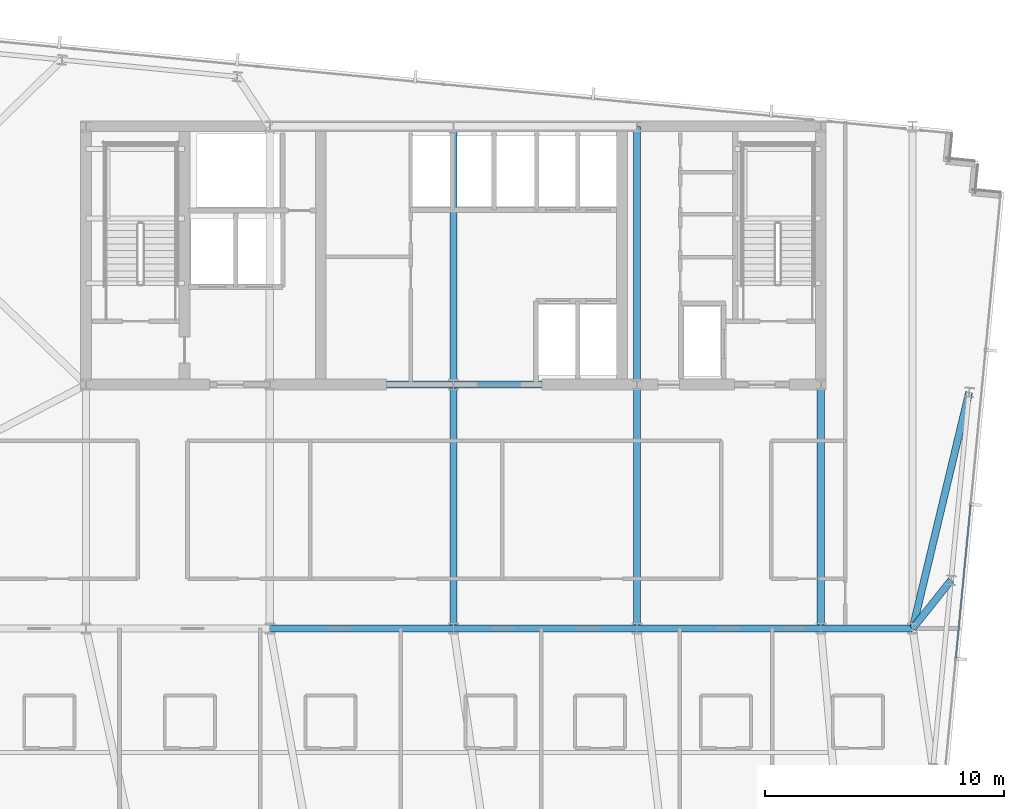
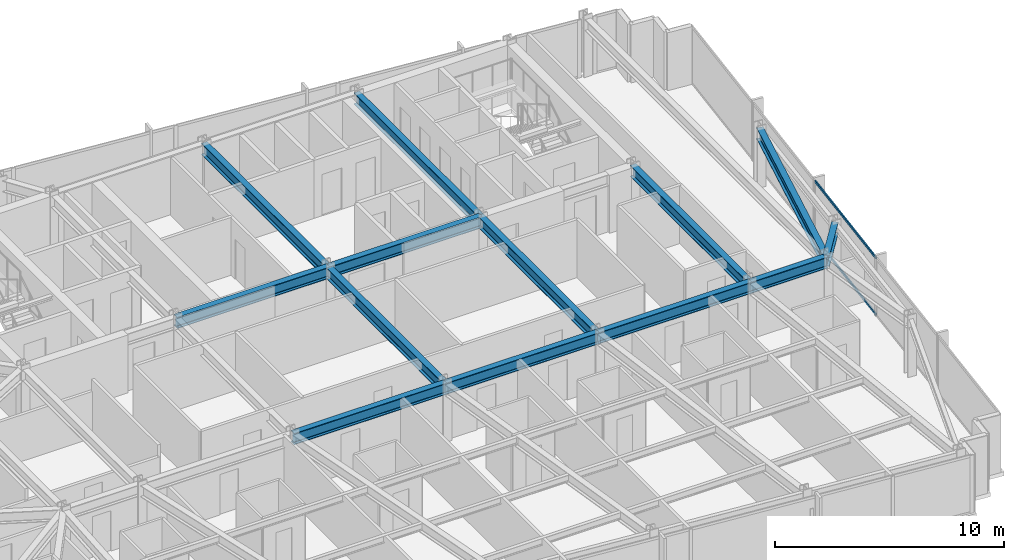
# One storey, part 17 of 37: 13 beams, 2 members, 1 element without a shape of its own.
"""IFC4 building model written with IfcOpenShell, lengths in metres."""

import ifcopenshell
import ifcopenshell.guid

model = None  # the IFC model being written
_history = None  # IfcOwnerHistory: only IFC2X3 demands one
_inside = {}  # id of a spatial element -> (the spatial element, [elements in it])
_under = {}  # id of a project, library or spatial element -> (it, [spatial elements below it])
_declared = {}  # id of a project -> (the project, [libraries it declares])
_typed = {}  # id of a type object -> (the type object, [elements of that type])
_made_of = {}  # id of a material, layer set ... -> (it, [elements and type objects made of it])


def new_model(schema):
    """Start an empty IFC model of exactly this schema.

    Asked for "IFC4X3", IfcOpenShell would pick the latest addendum, in which some entities
    have other attributes; the version numbers below select the first issue.
    IFC2X3 requires an IfcOwnerHistory on every rooted entity: one is made here for all.
    """
    global model, _history
    if schema == "IFC4X3":
        model = ifcopenshell.file(schema_version=(4, 3, 0, 0))
    else:
        model = ifcopenshell.file(schema=schema)
    _inside.clear()
    _under.clear()
    _declared.clear()
    _typed.clear()
    _made_of.clear()
    _history = None
    if model.schema == "IFC2X3":
        org = make("IfcOrganization", Name="unknown")
        user = make(
            "IfcPersonAndOrganization",
            ThePerson=make("IfcPerson", FamilyName="unknown"),
            TheOrganization=org,
        )
        app = make(
            "IfcApplication",
            ApplicationDeveloper=org,
            Version="unknown",
            ApplicationFullName="unknown",
            ApplicationIdentifier="unknown",
        )
        _history = make(
            "IfcOwnerHistory",
            OwningUser=user,
            OwningApplication=app,
            ChangeAction="ADDED",
            CreationDate=0,
        )
    return model


def make(cls, **values):
    """One entity of the class cls with the attributes given. An attribute that is None is left unset."""
    return model.create_entity(
        cls, **{name: value for name, value in values.items() if value is not None}
    )


def rooted(cls, **values):
    """An entity with a GlobalId (a new one), such as an element, a storey or a relation."""
    return make(cls, GlobalId=ifcopenshell.guid.new(), OwnerHistory=_history, **values)


def si_unit(unit_type, name, prefix=None):
    """IfcSIUnit, for example si_unit("LENGTHUNIT", "METRE", prefix="MILLI")."""
    return make("IfcSIUnit", UnitType=unit_type, Prefix=prefix, Name=name)


def assignment(units):
    """IfcUnitAssignment: the units of a project."""
    return None if units is None else make("IfcUnitAssignment", Units=units)


def point(xyz):
    """IfcCartesianPoint."""
    return None if xyz is None else make("IfcCartesianPoint", Coordinates=xyz)


def direction(xyz):
    """IfcDirection."""
    return None if xyz is None else make("IfcDirection", DirectionRatios=xyz)


def frame(location, z_axis=None, x_axis=None):
    """IfcAxis2Placement3D, a coordinate frame: its origin and axes. An axis left out is left unset."""
    return make(
        "IfcAxis2Placement3D",
        Location=point(location),
        Axis=direction(z_axis),
        RefDirection=direction(x_axis),
    )


def frame_2d(location, x_axis=None):
    """IfcAxis2Placement2D, a coordinate frame in the plane: its origin and x axis."""
    return make(
        "IfcAxis2Placement2D", Location=point(location), RefDirection=direction(x_axis)
    )


def origin():
    """The frame at (0, 0, 0) with its axes left unset."""
    return frame((0.0, 0.0, 0.0))


def origin_2d():
    """The frame at (0, 0) in the plane with its x axis left unset."""
    return frame_2d((0.0, 0.0))


def place(relative_to, where):
    """IfcLocalPlacement: puts the frame where relative to a parent placement (None: the world)."""
    return make(
        "IfcLocalPlacement", PlacementRelTo=relative_to, RelativePlacement=where
    )


def context(
    kind, dimensions, precision=None, world=None, true_north=None, identifier=None
):
    """IfcGeometricRepresentationContext, for example the 3D "Model" context."""
    return make(
        "IfcGeometricRepresentationContext",
        ContextIdentifier=identifier,
        ContextType=kind,
        CoordinateSpaceDimension=dimensions,
        Precision=precision,
        WorldCoordinateSystem=world,
        TrueNorth=true_north,
    )


def subcontext(parent, identifier, kind, view, scale=None):
    """IfcGeometricRepresentationSubContext, for example "Body" below "Model"."""
    return make(
        "IfcGeometricRepresentationSubContext",
        ContextIdentifier=identifier,
        ContextType=kind,
        ParentContext=parent,
        TargetScale=scale,
        TargetView=view,
    )


def project(units=None, contexts=None):
    """IfcProject with its units and contexts."""
    return rooted(
        "IfcProject",
        Name="project",
        RepresentationContexts=contexts,
        UnitsInContext=assignment(units),
    )


def spatial(cls, under=None, at=None, **own):
    """A site, building, storey or space (cls), placed at a placement, below another one or the project."""
    s = rooted(cls, ObjectPlacement=at, **own)
    if under is not None:
        _under.setdefault(under.id(), (under, []))[1].append(s)
    return s


def profile(cls, at=None, kind="AREA", **sizes):
    """A parametric profile (cls). Its sizes go by their IFC names, for example OverallWidth=200.0."""
    return make(cls, ProfileType=kind, Position=at, **sizes)


def hollow_rectangle(**sizes):
    """IfcRectangleHollowProfileDef."""
    return profile("IfcRectangleHollowProfileDef", **sizes)


def i_section(**sizes):
    """IfcIShapeProfileDef."""
    return profile("IfcIShapeProfileDef", **sizes)


def extrude(swept, where, along, depth):
    """IfcExtrudedAreaSolid: the profile swept, set in the frame where, extruded along a direction by depth."""
    return make(
        "IfcExtrudedAreaSolid",
        SweptArea=swept,
        Position=where,
        ExtrudedDirection=direction(along),
        Depth=depth,
    )


def shape(context_of_items, identifier, shape_type, items):
    """IfcShapeRepresentation: the items that make up one representation, for example the "Body"."""
    return make(
        "IfcShapeRepresentation",
        ContextOfItems=context_of_items,
        RepresentationIdentifier=identifier,
        RepresentationType=shape_type,
        Items=items,
    )


def material(Name=None, Category=None):
    """IfcMaterial."""
    return make("IfcMaterial", Name=Name, Category=Category)


def material_profile(
    of_material, cross_section, Name=None, Category=None, Priority=None
):
    """IfcMaterialProfile: a cross section and its material."""
    return make(
        "IfcMaterialProfile",
        Name=Name,
        Material=of_material,
        Profile=cross_section,
        Priority=Priority,
        Category=Category,
    )


def profile_set(profiles, Name=None, composite=None):
    """IfcMaterialProfileSet."""
    return make(
        "IfcMaterialProfileSet",
        Name=Name,
        MaterialProfiles=profiles,
        CompositeProfile=composite,
    )


def made_of(thing, what):
    """Note that an element or type object is made of a material, layer set ...; save() writes the relation."""
    if what is not None:
        _made_of.setdefault(what.id(), (what, []))[1].append(thing)
    return thing


def type_object(cls, material=None, **own):
    """A type object (cls), such as IfcWallType, which elements share."""
    return made_of(rooted(cls, **own), material)


def element(
    cls,
    number,
    at=None,
    inside=None,
    cuts=None,
    type_object=None,
    material=None,
    context=None,
    identifier="Body",
    shape_type=None,
    held_by="IfcProductDefinitionShape",
    body=None,
    shapes=None,
    **own,
):
    """One element of the class cls, such as IfcWall. Its Tag is "e" and its number.

    at: its placement. inside: the storey or other place that contains it. cuts: it is an
    opening in that element (IfcRelVoidsElement). A single representation is given by context,
    identifier, shape_type and body (its items); several are given by shapes. held_by: the class
    of the entity that holds the representations. save() writes the other relations.
    """
    e = rooted(cls, Tag="e%d" % number, ObjectPlacement=at, **own)
    if body is not None:
        shapes = [shape(context, identifier, shape_type, body)]
    if shapes is not None:
        e.Representation = make(held_by, Representations=shapes)
    if inside is not None:
        _inside.setdefault(inside.id(), (inside, []))[1].append(e)
    if cuts is not None:
        rooted(
            "IfcRelVoidsElement", RelatingBuildingElement=cuts, RelatedOpeningElement=e
        )
    if type_object is not None:
        _typed.setdefault(type_object.id(), (type_object, []))[1].append(e)
    return made_of(e, material)


def aggregate(whole, parts):
    """IfcRelAggregates: a whole, such as a stair, and the parts it consists of."""
    return rooted("IfcRelAggregates", RelatingObject=whole, RelatedObjects=parts)


def save(model, path):
    """Write the relations noted so far, then the file.

    IfcRelAggregates (storeys below a building ...), IfcRelContainedInSpatialStructure (elements
    in a storey), IfcRelDefinesByType, IfcRelAssociatesMaterial and IfcRelDeclares: one each for
    every whole, place, type object, material and project.
    """
    for whole, parts in _under.values():
        aggregate(whole, parts)
    for where, things in _inside.values():
        rooted(
            "IfcRelContainedInSpatialStructure",
            RelatedElements=things,
            RelatingStructure=where,
        )
    for kind, things in _typed.values():
        rooted("IfcRelDefinesByType", RelatedObjects=things, RelatingType=kind)
    for what, things in _made_of.values():
        rooted("IfcRelAssociatesMaterial", RelatedObjects=things, RelatingMaterial=what)
    for by, libraries in _declared.values():
        rooted("IfcRelDeclares", RelatingContext=by, RelatedDefinitions=libraries)
    model.write(path)


model = new_model("IFC4")

# Units and contexts
model_context = context("Model", 3, precision=1e-05, world=origin(), true_north=direction((0.0, 1.0)))
body_context = subcontext(model_context, "Body", "Model", "MODEL_VIEW")
ifc_project = project(units=[si_unit("LENGTHUNIT", "METRE"), si_unit("AREAUNIT", "SQUARE_METRE"), si_unit("VOLUMEUNIT", "CUBIC_METRE"), si_unit("PLANEANGLEUNIT", "RADIAN"), si_unit("MASSUNIT", "GRAM", prefix="KILO")], contexts=[model_context])

# Site, building, storey
site_placement = place(None, origin())
site = spatial("IfcSite", under=ifc_project, at=site_placement, CompositionType="ELEMENT")
building_placement = place(site_placement, origin())
building = spatial("IfcBuilding", under=site, at=building_placement, Name="Yelkora Congress Tower", CompositionType="ELEMENT")
storey_placement = place(building_placement, frame((0.0, 0.0, 158.89990234375)))
storey = spatial("IfcBuildingStorey", under=building, at=storey_placement, Name="L43", CompositionType="ELEMENT", Elevation=158.89990234375)

# Beams
ifc_material_1 = material(Name="Steel S355J2", Category="steel")
ifc_material_profile_1 = material_profile(ifc_material_1, i_section(OverallWidth=0.300048828125, OverallDepth=0.60009765625, WebThickness=0.015380859375, FlangeThickness=0.030029296875, FilletRadius=0.027099609375, at=origin_2d()), Name="HEB 600")
ifc_profile_set_1 = profile_set([ifc_material_profile_1], Name="Steel S355J2")
beam_type = type_object("IfcBeamType", Name="BM-GIRD-HEB600", PredefinedType="BEAM", material=ifc_profile_set_1)
beam_1_placement = place(storey_placement, frame((30.719970703125, 25.199951171875, 2.780029296875), z_axis=(1.0, 0.0, 0.0), x_axis=(0.0, 1.0, 0.0)))
element("IfcBeam", 1, at=beam_1_placement, inside=storey, type_object=beam_type, Name="L43 Spine Grid D Girder 3", PredefinedType="BEAM", context=body_context, shape_type="SweptSolid", body=[
    extrude(i_section(OverallWidth=0.300048828125, OverallDepth=0.60009765625, WebThickness=0.015380859375, FlangeThickness=0.030029296875, FilletRadius=0.027099609375, at=origin_2d()), origin(), (0.0, 0.0, 1.0), 7.679931640625),
])
beam_2_placement = place(storey_placement, frame((38.39990234375, 25.199951171875, 2.780029296875), z_axis=(1.0, 0.0, 0.0), x_axis=(0.0, 1.0, 0.0)))
element("IfcBeam", 2, at=beam_2_placement, inside=storey, type_object=beam_type, Name="L43 Spine Grid D Girder 4", PredefinedType="BEAM", context=body_context, shape_type="SweptSolid", body=[
    extrude(i_section(OverallWidth=0.300048828125, OverallDepth=0.60009765625, WebThickness=0.015380859375, FlangeThickness=0.030029296875, FilletRadius=0.027099609375, at=origin_2d()), origin(), (0.0, 0.0, 1.0), 7.68017578125),
])
beam_3_placement = place(storey_placement, frame((46.080078125, 25.199951171875, 2.780029296875), z_axis=(1.0, 0.0, 0.0), x_axis=(0.0, 1.0, 0.0)))
element("IfcBeam", 3, at=beam_3_placement, inside=storey, type_object=beam_type, Name="L43 Spine Grid D Girder 5", PredefinedType="BEAM", context=body_context, shape_type="SweptSolid", body=[
    extrude(i_section(OverallWidth=0.300048828125, OverallDepth=0.60009765625, WebThickness=0.015380859375, FlangeThickness=0.030029296875, FilletRadius=0.027099609375, at=origin_2d()), origin(), (0.0, 0.0, 1.0), 7.679931640625),
])
beam_4_placement = place(storey_placement, frame((53.760009765625, 25.199951171875, 2.780029296875), z_axis=(1.0, 0.0, 0.0), x_axis=(0.0, 1.0, 0.0)))
element("IfcBeam", 4, at=beam_4_placement, inside=storey, type_object=beam_type, Name="L43 Spine Grid D Girder 6", PredefinedType="BEAM", context=body_context, shape_type="SweptSolid", body=[
    extrude(i_section(OverallWidth=0.300048828125, OverallDepth=0.60009765625, WebThickness=0.015380859375, FlangeThickness=0.030029296875, FilletRadius=0.027099609375, at=origin_2d()), origin(), (0.0, 0.0, 1.0), 3.840087890625),
])
beam_5_placement = place(storey_placement, frame((30.719970703125, 35.39990234375, 2.780029296875), z_axis=(1.0, 0.0, 0.0), x_axis=(0.0, 1.0, 0.0)))
element("IfcBeam", 5, at=beam_5_placement, inside=storey, type_object=beam_type, Name="L43 Core South Girder 2", PredefinedType="BEAM", context=body_context, shape_type="SweptSolid", body=[
    extrude(i_section(OverallWidth=0.300048828125, OverallDepth=0.60009765625, WebThickness=0.015380859375, FlangeThickness=0.030029296875, FilletRadius=0.027099609375, at=origin_2d()), origin(), (0.0, 0.0, 1.0), 7.679931640625),
])
beam_6_placement = place(storey_placement, frame((38.39990234375, 35.39990234375, 2.780029296875), z_axis=(1.0, 0.0, 0.0), x_axis=(0.0, 1.0, 0.0)))
element("IfcBeam", 6, at=beam_6_placement, inside=storey, type_object=beam_type, Name="L43 Core South Girder 3", PredefinedType="BEAM", context=body_context, shape_type="SweptSolid", body=[
    extrude(i_section(OverallWidth=0.300048828125, OverallDepth=0.60009765625, WebThickness=0.015380859375, FlangeThickness=0.030029296875, FilletRadius=0.027099609375, at=origin_2d()), origin(), (0.0, 0.0, 1.0), 7.68017578125),
])
beam_7_placement = place(storey_placement, frame((38.39990234375, 25.199951171875, 2.780029296875), z_axis=(0.0, 1.0, 0.0), x_axis=(-1.0, 0.0, 0.0)))
element("IfcBeam", 7, at=beam_7_placement, inside=storey, type_object=beam_type, Name="L43 Core Tie Girder MC-D3", PredefinedType="BEAM", context=body_context, shape_type="SweptSolid", body=[
    extrude(i_section(OverallWidth=0.300048828125, OverallDepth=0.60009765625, WebThickness=0.015380859375, FlangeThickness=0.030029296875, FilletRadius=0.027099609375, at=origin_2d()), origin(), (0.0, 0.0, 1.0), 10.199951171875),
])
beam_8_placement = place(storey_placement, frame((38.39990234375, 35.39990234375, 2.780029296875), z_axis=(0.0, 1.0, 0.0), x_axis=(-1.0, 0.0, 0.0)))
element("IfcBeam", 8, at=beam_8_placement, inside=storey, type_object=beam_type, Name="L43 Core Tie Girder MC-S3", PredefinedType="BEAM", context=body_context, shape_type="SweptSolid", body=[
    extrude(i_section(OverallWidth=0.300048828125, OverallDepth=0.60009765625, WebThickness=0.015380859375, FlangeThickness=0.030029296875, FilletRadius=0.027099609375, at=origin_2d()), origin(), (0.0, 0.0, 1.0), 10.800048828125),
])
beam_9_placement = place(storey_placement, frame((46.080078125, 25.199951171875, 2.780029296875), z_axis=(0.0, 1.0, 0.0), x_axis=(-1.0, 0.0, 0.0)))
element("IfcBeam", 9, at=beam_9_placement, inside=storey, type_object=beam_type, Name="L43 Core Tie Girder MC-D4", PredefinedType="BEAM", context=body_context, shape_type="SweptSolid", body=[
    extrude(i_section(OverallWidth=0.300048828125, OverallDepth=0.60009765625, WebThickness=0.015380859375, FlangeThickness=0.030029296875, FilletRadius=0.027099609375, at=origin_2d()), origin(), (0.0, 0.0, 1.0), 10.199951171875),
])
beam_10_placement = place(storey_placement, frame((46.080078125, 35.39990234375, 2.780029296875), z_axis=(0.0, 1.0, 0.0), x_axis=(-1.0, 0.0, 0.0)))
element("IfcBeam", 10, at=beam_10_placement, inside=storey, type_object=beam_type, Name="L43 Core Tie Girder MC-S4", PredefinedType="BEAM", context=body_context, shape_type="SweptSolid", body=[
    extrude(i_section(OverallWidth=0.300048828125, OverallDepth=0.60009765625, WebThickness=0.015380859375, FlangeThickness=0.030029296875, FilletRadius=0.027099609375, at=origin_2d()), origin(), (0.0, 0.0, 1.0), 10.800048828125),
])
beam_11_placement = place(storey_placement, frame((53.760009765625, 25.199951171875, 2.780029296875), z_axis=(0.0, 1.0, 0.0), x_axis=(-1.0, 0.0, 0.0)))
element("IfcBeam", 11, at=beam_11_placement, inside=storey, type_object=beam_type, Name="L43 Core Tie Girder MC-D5", PredefinedType="BEAM", context=body_context, shape_type="SweptSolid", body=[
    extrude(i_section(OverallWidth=0.300048828125, OverallDepth=0.60009765625, WebThickness=0.015380859375, FlangeThickness=0.030029296875, FilletRadius=0.027099609375, at=origin_2d()), origin(), (0.0, 0.0, 1.0), 10.199951171875),
])
beam_12_placement = place(storey_placement, frame((59.206298828125, 27.217529296875, 2.780029296875), z_axis=(-0.622834511353, -0.782353610248, 0.0), x_axis=(0.782353610248, -0.622834511353, 0.0)))
element("IfcBeam", 12, at=beam_12_placement, inside=storey, type_object=beam_type, Name="L43 Primary Frame Girder E02", PredefinedType="BEAM", context=body_context, shape_type="SweptSolid", body=[
    extrude(i_section(OverallWidth=0.300048828125, OverallDepth=0.60009765625, WebThickness=0.015380859375, FlangeThickness=0.030029296875, FilletRadius=0.027099609375, at=origin_2d()), origin(), (0.0, 0.0, 1.0), 2.578857421875),
])
beam_13_placement = place(storey_placement, frame((59.96337890625, 35.0810546875, 2.780029296875), z_axis=(-0.23261126158, -0.972569792347, 0.0), x_axis=(0.972569792347, -0.23261126158, 0.0)))
element("IfcBeam", 13, at=beam_13_placement, inside=storey, type_object=beam_type, Name="L43 Primary Frame Girder E03", PredefinedType="BEAM", context=body_context, shape_type="SweptSolid", body=[
    extrude(i_section(OverallWidth=0.300048828125, OverallDepth=0.60009765625, WebThickness=0.015380859375, FlangeThickness=0.030029296875, FilletRadius=0.027099609375, at=origin_2d()), origin(), (0.0, 0.0, 1.0), 10.15966796875),
])

# Curtain wall, members
ifc_material_2 = material(Name="Anodised aluminium and insulated glass", Category="aluminium")
curtain_wall_type = type_object("IfcCurtainWallType", Name="CW-SYS-B3", PredefinedType="NOTDEFINED", material=ifc_material_2)
curtain_wall_placement = place(storey_placement, origin())
curtain_wall = element("IfcCurtainWall", 14, at=curtain_wall_placement, inside=storey, type_object=curtain_wall_type, Name="L43 Unitised Curtain Wall 15", PredefinedType="NOTDEFINED")
ifc_material_3 = material(Name="Anodised aluminium 6063-T6", Category="aluminium")
ifc_material_profile_2 = material_profile(ifc_material_3, hollow_rectangle(XDim=0.06005859375, YDim=0.1298828125, WallThickness=0.00390625, at=origin_2d()), Name="ALU 60x130x4")
ifc_profile_set_2 = profile_set([ifc_material_profile_2], Name="Anodised aluminium 6063-T6")
member_type = type_object("IfcMemberType", Name="MEM-TR-B3", PredefinedType="USERDEFINED", material=ifc_profile_set_2)
member_1_placement = place(storey_placement, frame((60.021484375, 30.36083984375, 0.030029296875), z_axis=(-0.095843682057, -0.995396397728, 0.0), x_axis=(0.995396397728, -0.095843682057, 0.0)))
member_1 = element("IfcMember", 15, at=member_1_placement, type_object=member_type, Name="CW-B3 transom 3.1", ObjectType="TRANSOM", PredefinedType="USERDEFINED", context=body_context, shape_type="SweptSolid", body=[
    extrude(hollow_rectangle(XDim=0.06005859375, YDim=0.1298828125, WallThickness=0.00390625, at=origin_2d()), origin(), (0.0, 0.0, 1.0), 6.4140625),
])
member_2_placement = place(storey_placement, frame((60.021484375, 30.36083984375, 3.050048828125), z_axis=(-0.095843682057, -0.995396397728, 0.0), x_axis=(0.995396397728, -0.095843682057, 0.0)))
member_2 = element("IfcMember", 16, at=member_2_placement, type_object=member_type, Name="CW-B3 transom 3.2", ObjectType="TRANSOM", PredefinedType="USERDEFINED", context=body_context, shape_type="SweptSolid", body=[
    extrude(hollow_rectangle(XDim=0.06005859375, YDim=0.1298828125, WallThickness=0.00390625, at=origin_2d()), origin(), (0.0, 0.0, 1.0), 6.4140625),
])
aggregate(curtain_wall, [member_1, member_2])

save(model, "model.ifc")
